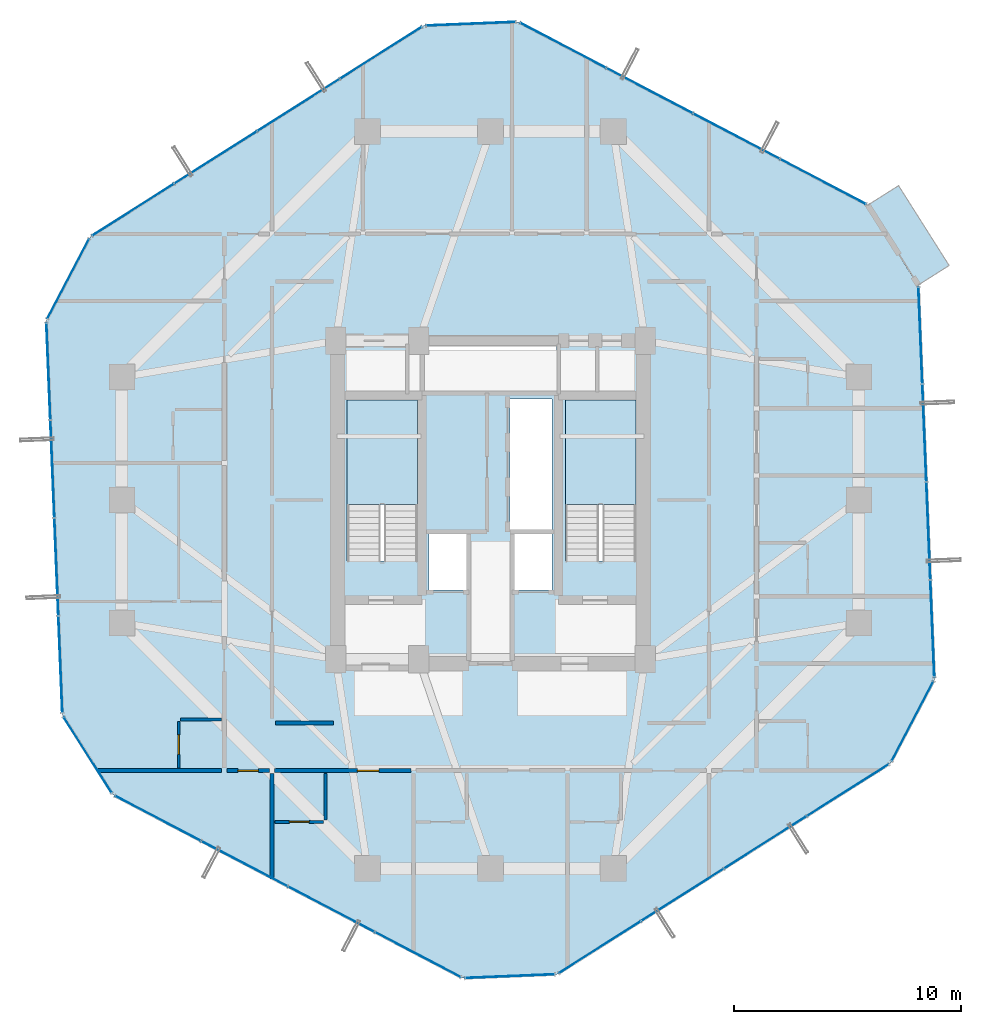
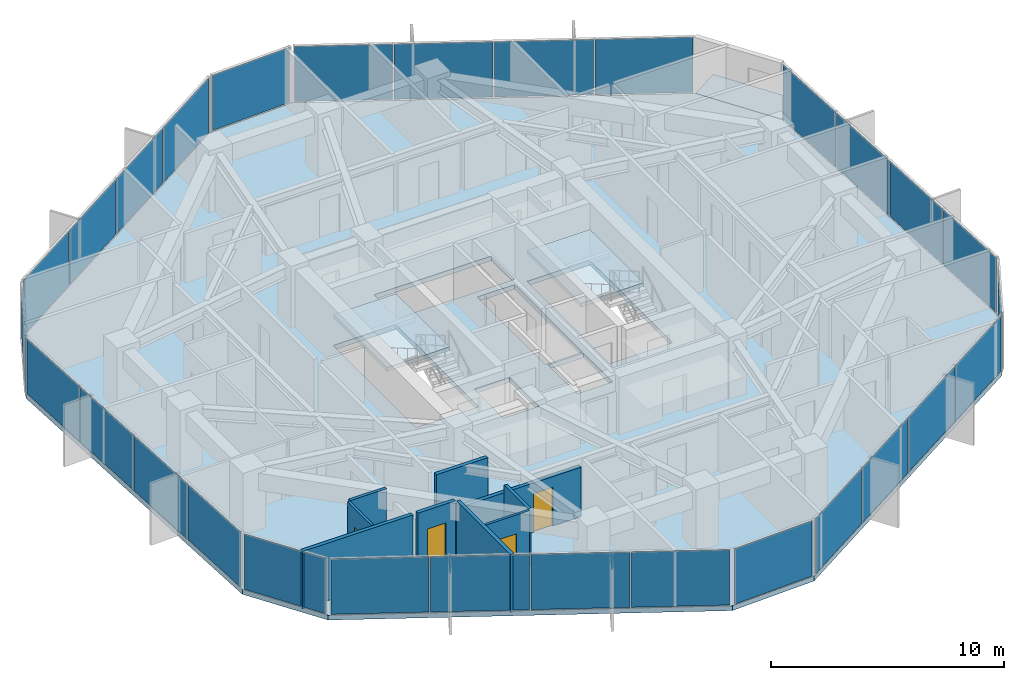
# One storey, part 26 of 32: 29 plates, 9 walls, 4 doors, 4 slabs, 4 openings, 13 elements without a shape of their own.
"""IFC4 building model written with IfcOpenShell, lengths in metres."""

from ifc_helpers import new_model, si_unit, direction, frame, frame_2d, origin, origin_2d, place, context, subcontext, project, spatial, polyline, rectangle, outline, extrude, source, transform, mapped, material, layer, layer_set, type_object, element, fill, aggregate, save


model = new_model("IFC4")

# Units and contexts
model_context = context("Model", 3, precision=1e-05, world=origin(), true_north=direction((0.0, 1.0)))
body_context = subcontext(model_context, "Body", "Model", "MODEL_VIEW")
ifc_project = project(units=[si_unit("LENGTHUNIT", "METRE"), si_unit("AREAUNIT", "SQUARE_METRE"), si_unit("VOLUMEUNIT", "CUBIC_METRE"), si_unit("PLANEANGLEUNIT", "RADIAN"), si_unit("MASSUNIT", "GRAM", prefix="KILO")], contexts=[model_context])

# Site, building, storey
site_placement = place(None, origin())
site = spatial("IfcSite", under=ifc_project, at=site_placement, CompositionType="ELEMENT")
building_placement = place(site_placement, origin())
building = spatial("IfcBuilding", under=site, at=building_placement, Name="Veraguas Prism Commons", CompositionType="ELEMENT")
storey_placement = place(building_placement, frame((0.0, 0.0, 136.0)))
storey = spatial("IfcBuildingStorey", under=building, at=storey_placement, Name="L38", CompositionType="ELEMENT", Elevation=136.0)

# Stair, slab
ifc_material_1 = material(Name="Precast concrete C45/55", Category="concrete")
stair_type = type_object("IfcStairType", Name="Dogleg Core Stair 1480W 20R 05", PredefinedType="HALF_TURN_STAIR", material=ifc_material_1)
stair_1_placement = place(storey_placement, origin())
stair_1 = element("IfcStair", 1, at=stair_1_placement, inside=storey, type_object=stair_type, Name="Protected Exit Stair ST-01 L38", PredefinedType="HALF_TURN_STAIR")
ifc_layer_1 = layer(ifc_material_1, 0.199951171875, Name="Precast Stair and Ramp Landing Slab 200", Category="concrete")
ifc_layer_set_1 = layer_set([ifc_layer_1], Name="Precast concrete C45/55")
slab_type_1 = type_object("IfcSlabType", Name="Precast Stair and Ramp Landing Slab 200", PredefinedType="LANDING", material=ifc_layer_set_1)
slab_1_placement = place(storey_placement, frame((0.0, 0.0, 1.425048828125)))
slab_1 = element("IfcSlab", 2, at=slab_1_placement, type_object=slab_type_1, Name="ST-05 Landing 1", PredefinedType="LANDING", context=body_context, shape_type="SweptSolid", body=[
    extrude(outline(polyline([(20.800048828125, 23.800048828125), (20.800048828125, 28.39990234375), (17.68994140625, 28.39990234375), (17.68994140625, 23.800048828125), (20.800048828125, 23.800048828125)])), origin(), (0.0, 0.0, 1.0), 0.199951171875),
])
aggregate(stair_1, [slab_1])

stair_2_placement = place(storey_placement, origin())
stair_2 = element("IfcStair", 3, at=stair_2_placement, inside=storey, type_object=stair_type, Name="Protected Exit Stair ST-02 L38", PredefinedType="HALF_TURN_STAIR")
slab_2_placement = place(storey_placement, frame((0.0, 0.0, 1.425048828125)))
slab_2 = element("IfcSlab", 4, at=slab_2_placement, type_object=slab_type_1, Name="ST-05 Landing 1", PredefinedType="LANDING", context=body_context, shape_type="SweptSolid", body=[
    extrude(outline(polyline([(30.39990234375, 23.800048828125), (30.39990234375, 28.39990234375), (27.2900390625, 28.39990234375), (27.2900390625, 23.800048828125), (30.39990234375, 23.800048828125)])), origin(), (0.0, 0.0, 1.0), 0.199951171875),
])
aggregate(stair_2, [slab_2])

# Slabs
ifc_material_2 = material(Name="Concrete C45/55", Category="concrete")
ifc_layer_2 = layer(ifc_material_2, 0.219970703125, Name="Recessed Loggia and Terrace Slab RC 220", Category="concrete")
ifc_layer_set_2 = layer_set([ifc_layer_2], Name="Concrete C45/55")
slab_type_2 = type_object("IfcSlabType", Name="Recessed Loggia and Terrace Slab RC 220", PredefinedType="FLOOR", material=ifc_layer_set_2)
slab_3_placement = place(storey_placement, frame((0.0, 0.0, -0.219970703125)))
element("IfcSlab", 5, at=slab_3_placement, inside=storey, type_object=slab_type_2, Name="Recessed Corner Loggia L38-C1", PredefinedType="FLOOR", context=body_context, shape_type="SweptSolid", body=[
    extrude(outline(polyline([(42.79541015625, 33.4423828125), (44.1640625, 34.30908203125), (41.9423828125, 37.818115234375), (40.573486328125, 36.951416015625), (42.79541015625, 33.4423828125)])), origin(), (0.0, 0.0, 1.0), 0.219970703125),
])
ifc_layer_3 = layer(ifc_material_2, 0.25, Name="Tower Lower Residential Floor Slab RC 250", Category="concrete")
ifc_layer_set_3 = layer_set([ifc_layer_3], Name="Concrete C45/55")
slab_type_3 = type_object("IfcSlabType", Name="Tower Lower Residential Floor Slab RC 250", PredefinedType="FLOOR", material=ifc_layer_set_3)
slab_4_placement = place(storey_placement, frame((0.0, 0.0, -0.25)))
element("IfcSlab", 6, at=slab_4_placement, inside=storey, type_object=slab_type_3, Name="Tower Floor Slab L38", PredefinedType="FLOOR", context=body_context, shape_type="SweptSolid", body=[
    extrude(outline(polyline([(42.812255859375, 33.453125), (40.590576171875, 36.962158203125), (25.219482421875, 45.018310546875), (21.069580078125, 44.848876953125), (6.4072265625, 35.565185546875), (4.479248046875, 31.88671875), (5.187744140625, 14.546875), (7.409423828125, 11.037841796875), (22.780517578125, 2.981689453125), (26.930419921875, 3.151123046875), (41.5927734375, 12.434814453125), (43.520751953125, 16.11328125), (42.812255859375, 33.453125)]), holes=[polyline([(20.800048828125, 21.31005859375), (20.800048828125, 28.39990234375), (17.68994140625, 28.39990234375), (17.68994140625, 21.31005859375), (20.800048828125, 21.31005859375)]), polyline([(30.39990234375, 21.31005859375), (30.39990234375, 28.39990234375), (27.2900390625, 28.39990234375), (27.2900390625, 21.31005859375), (30.39990234375, 21.31005859375)]), polyline([(24.85009765625, 22.64990234375), (26.699951171875, 22.64990234375), (26.699951171875, 28.449951171875), (24.85009765625, 28.449951171875), (24.85009765625, 22.64990234375)]), polyline([(21.10009765625, 28.800048828125), (26.89990234375, 28.800048828125), (26.89990234375, 30.800048828125), (21.10009765625, 30.800048828125), (21.10009765625, 28.800048828125)]), polyline([(21.300048828125, 20.050048828125), (23.050048828125, 20.050048828125), (23.050048828125, 22.550048828125), (21.300048828125, 22.550048828125), (21.300048828125, 20.050048828125)]), polyline([(24.949951171875, 20.050048828125), (26.699951171875, 20.050048828125), (26.699951171875, 22.550048828125), (24.949951171875, 22.550048828125), (24.949951171875, 20.050048828125)])]), origin(), (0.0, 0.0, 1.0), 0.25),
])

# Curtain wall, plates
ifc_material_3 = material(Name="Anodised aluminium EN AW-6063 T6", Category="aluminium")
ifc_layer_4 = layer(ifc_material_3, 0.169921875, Name="Unitised Flush Curtain Wall Zone 2", Category="aluminium")
ifc_layer_set_4 = layer_set([ifc_layer_4], Name="Anodised aluminium EN AW-6063 T6")
curtain_wall_type = type_object("IfcCurtainWallType", Name="Unitised Flush Curtain Wall Zone 2", PredefinedType="NOTDEFINED", material=ifc_layer_set_4)
curtain_wall_1_placement = place(storey_placement, origin())
curtain_wall_1 = element("IfcCurtainWall", 7, at=curtain_wall_1_placement, inside=storey, type_object=curtain_wall_type, Name="Tower Facade Curtain Wall L38-F1", PredefinedType="NOTDEFINED")
ifc_material_4 = material(Name="Laminated low-e glass", Category="glass")
ifc_layer_5 = layer(ifc_material_4, 0.028076171875, Name="Unitised Double Low-E Glazed Panel 28", Category="glass")
ifc_layer_set_5 = layer_set([ifc_layer_5], Name="Laminated low-e glass")
plate_type = type_object("IfcPlateType", Name="Unitised Double Low-E Glazed Panel 28", PredefinedType="CURTAIN_PANEL", material=ifc_layer_set_5)
shared_shape_1 = source(origin(), body_context, "Body", "SweptSolid", [
    extrude(rectangle(XDim=4.218505859375, YDim=0.028076171875, at=origin_2d()), origin(), (0.0, 0.0, 1.0), 2.889892578125),
])
plate_1_placement = place(storey_placement, frame((38.615966796875, 37.9970703125, 0.05517578125), z_axis=(0.0, 0.0, 1.0), x_axis=(-0.885721982014, 0.464216081773, 0.0)))
plate_1 = element("IfcPlate", 8, at=plate_1_placement, type_object=plate_type, Name="CW-Z2 Panel 1.1", PredefinedType="CURTAIN_PANEL", context=body_context, shape_type="MappedRepresentation", body=[
    mapped(shared_shape_1, transform((0.0, 0.0, 0.0), scale=1.0)),
])
plate_2_placement = place(storey_placement, frame((27.19384765625, 43.9833984375, 0.05517578125), z_axis=(0.0, 0.0, 1.0), x_axis=(-0.885721982014, 0.464216081773, 0.0)))
plate_2 = element("IfcPlate", 9, at=plate_2_placement, type_object=plate_type, Name="CW-Z2 Panel 4.1", PredefinedType="CURTAIN_PANEL", context=body_context, shape_type="MappedRepresentation", body=[
    mapped(shared_shape_1, transform((0.0, 0.0, 0.0), scale=1.0)),
])

curtain_wall_2_placement = place(storey_placement, origin())
curtain_wall_2 = element("IfcCurtainWall", 10, at=curtain_wall_2_placement, inside=storey, type_object=curtain_wall_type, Name="Tower Facade Curtain Wall L38-F2", PredefinedType="NOTDEFINED")
plate_3_placement = place(storey_placement, frame((19.186279296875, 43.65625, 0.05517578125), z_axis=(0.0, 0.0, 1.0), x_axis=(-0.844887645301, -0.534943797813, 0.0)))
plate_3 = element("IfcPlate", 11, at=plate_3_placement, type_object=plate_type, Name="CW-Z2 Panel 1.1", PredefinedType="CURTAIN_PANEL", context=body_context, shape_type="MappedRepresentation", body=[
    mapped(shared_shape_1, transform((0.0, 0.0, 0.0), scale=1.0)),
])
plate_4_placement = place(storey_placement, frame((8.290771484375, 36.7578125, 0.05517578125), z_axis=(0.0, 0.0, 1.0), x_axis=(-0.844887645301, -0.534943797813, 0.0)))
plate_4 = element("IfcPlate", 12, at=plate_4_placement, type_object=plate_type, Name="CW-Z2 Panel 4.1", PredefinedType="CURTAIN_PANEL", context=body_context, shape_type="MappedRepresentation", body=[
    mapped(shared_shape_1, transform((0.0, 0.0, 0.0), scale=1.0)),
])

curtain_wall_3_placement = place(storey_placement, origin())
curtain_wall_3 = element("IfcCurtainWall", 13, at=curtain_wall_3_placement, inside=storey, type_object=curtain_wall_type, Name="Tower Facade Curtain Wall L38-F3", PredefinedType="NOTDEFINED")
plate_5_placement = place(storey_placement, frame((4.570068359375, 29.6591796875, 0.05517578125), z_axis=(0.0, 0.0, 1.0), x_axis=(0.040836327473, -0.999165849276, 0.0)))
plate_5 = element("IfcPlate", 14, at=plate_5_placement, type_object=plate_type, Name="CW-Z2 Panel 1.1", PredefinedType="CURTAIN_PANEL", context=body_context, shape_type="MappedRepresentation", body=[
    mapped(shared_shape_1, transform((0.0, 0.0, 0.0), scale=1.0)),
])
plate_6_placement = place(storey_placement, frame((5.096923828125, 16.774169921875, 0.05517578125), z_axis=(0.0, 0.0, 1.0), x_axis=(0.040836327473, -0.999165849276, 0.0)))
plate_6 = element("IfcPlate", 15, at=plate_6_placement, type_object=plate_type, Name="CW-Z2 Panel 4.1", PredefinedType="CURTAIN_PANEL", context=body_context, shape_type="MappedRepresentation", body=[
    mapped(shared_shape_1, transform((0.0, 0.0, 0.0), scale=1.0)),
])

curtain_wall_4_placement = place(storey_placement, origin())
curtain_wall_4 = element("IfcCurtainWall", 16, at=curtain_wall_4_placement, inside=storey, type_object=curtain_wall_type, Name="Tower Facade Curtain Wall L38-F4", PredefinedType="NOTDEFINED")
plate_7_placement = place(storey_placement, frame((9.384033203125, 10.0029296875, 0.05517578125), z_axis=(0.0, 0.0, 1.0), x_axis=(0.885721982014, -0.464216081773, 0.0)))
plate_7 = element("IfcPlate", 17, at=plate_7_placement, type_object=plate_type, Name="CW-Z2 Panel 1.1", PredefinedType="CURTAIN_PANEL", context=body_context, shape_type="MappedRepresentation", body=[
    mapped(shared_shape_1, transform((0.0, 0.0, 0.0), scale=1.0)),
])
plate_8_placement = place(storey_placement, frame((20.80615234375, 4.0166015625, 0.05517578125), z_axis=(0.0, 0.0, 1.0), x_axis=(0.885721982014, -0.464216081773, 0.0)))
plate_8 = element("IfcPlate", 18, at=plate_8_placement, type_object=plate_type, Name="CW-Z2 Panel 4.1", PredefinedType="CURTAIN_PANEL", context=body_context, shape_type="MappedRepresentation", body=[
    mapped(shared_shape_1, transform((0.0, 0.0, 0.0), scale=1.0)),
])

curtain_wall_5_placement = place(storey_placement, origin())
curtain_wall_5 = element("IfcCurtainWall", 19, at=curtain_wall_5_placement, inside=storey, type_object=curtain_wall_type, Name="Tower Facade Curtain Wall L38-F5", PredefinedType="NOTDEFINED")
plate_9_placement = place(storey_placement, frame((28.813720703125, 4.34375, 0.05517578125), z_axis=(0.0, 0.0, 1.0), x_axis=(0.844887645301, 0.534943797813, 0.0)))
plate_9 = element("IfcPlate", 20, at=plate_9_placement, type_object=plate_type, Name="CW-Z2 Panel 1.1", PredefinedType="CURTAIN_PANEL", context=body_context, shape_type="MappedRepresentation", body=[
    mapped(shared_shape_1, transform((0.0, 0.0, 0.0), scale=1.0)),
])
plate_10_placement = place(storey_placement, frame((39.709228515625, 11.2421875, 0.05517578125), z_axis=(0.0, 0.0, 1.0), x_axis=(0.844887645301, 0.534943797813, 0.0)))
plate_10 = element("IfcPlate", 21, at=plate_10_placement, type_object=plate_type, Name="CW-Z2 Panel 4.1", PredefinedType="CURTAIN_PANEL", context=body_context, shape_type="MappedRepresentation", body=[
    mapped(shared_shape_1, transform((0.0, 0.0, 0.0), scale=1.0)),
])

curtain_wall_6_placement = place(storey_placement, origin())
curtain_wall_6 = element("IfcCurtainWall", 22, at=curtain_wall_6_placement, inside=storey, type_object=curtain_wall_type, Name="Tower Facade Curtain Wall L38-F6", PredefinedType="NOTDEFINED")
plate_11_placement = place(storey_placement, frame((43.429931640625, 18.3408203125, 0.05517578125), z_axis=(0.0, 0.0, 1.0), x_axis=(-0.040836327473, 0.999165849276, 0.0)))
plate_11 = element("IfcPlate", 23, at=plate_11_placement, type_object=plate_type, Name="CW-Z2 Panel 1.1", PredefinedType="CURTAIN_PANEL", context=body_context, shape_type="MappedRepresentation", body=[
    mapped(shared_shape_1, transform((0.0, 0.0, 0.0), scale=1.0)),
])
plate_12_placement = place(storey_placement, frame((42.903076171875, 31.225830078125, 0.05517578125), z_axis=(0.0, 0.0, 1.0), x_axis=(-0.040836327473, 0.999165849276, 0.0)))
plate_12 = element("IfcPlate", 24, at=plate_12_placement, type_object=plate_type, Name="CW-Z2 Panel 4.1", PredefinedType="CURTAIN_PANEL", context=body_context, shape_type="MappedRepresentation", body=[
    mapped(shared_shape_1, transform((0.0, 0.0, 0.0), scale=1.0)),
])

# Plate
shared_shape_2 = source(origin(), body_context, "Body", "SweptSolid", [
    extrude(rectangle(XDim=4.24853515625, YDim=0.028076171875, at=origin_2d()), origin(), (0.0, 0.0, 1.0), 2.889892578125),
])
plate_13_placement = place(storey_placement, frame((34.81298828125, 39.990234375, 0.05517578125), z_axis=(0.0, 0.0, 1.0), x_axis=(-0.885721982014, 0.464216081773, 0.0)))
plate_13 = element("IfcPlate", 25, at=plate_13_placement, type_object=plate_type, Name="CW-Z2 Panel 2.1", PredefinedType="CURTAIN_PANEL", context=body_context, shape_type="MappedRepresentation", body=[
    mapped(shared_shape_2, transform((0.0, 0.0, 0.0), scale=1.0)),
])

plate_14_placement = place(storey_placement, frame((30.996826171875, 41.990234375, 0.05517578125), z_axis=(0.0, 0.0, 1.0), x_axis=(-0.885721982014, 0.464216081773, 0.0)))
plate_14 = element("IfcPlate", 26, at=plate_14_placement, type_object=plate_type, Name="CW-Z2 Panel 3.1", PredefinedType="CURTAIN_PANEL", context=body_context, shape_type="MappedRepresentation", body=[
    mapped(shared_shape_2, transform((0.0, 0.0, 0.0), scale=1.0)),
])

aggregate(curtain_wall_1, [plate_1, plate_13, plate_14, plate_2])

plate_15_placement = place(storey_placement, frame((15.55859375, 41.359375, 0.05517578125), z_axis=(0.0, 0.0, 1.0), x_axis=(-0.844887645301, -0.534943797813, 0.0)))
plate_15 = element("IfcPlate", 27, at=plate_15_placement, type_object=plate_type, Name="CW-Z2 Panel 2.1", PredefinedType="CURTAIN_PANEL", context=body_context, shape_type="MappedRepresentation", body=[
    mapped(shared_shape_2, transform((0.0, 0.0, 0.0), scale=1.0)),
])

plate_16_placement = place(storey_placement, frame((11.918212890625, 39.0546875, 0.05517578125), z_axis=(0.0, 0.0, 1.0), x_axis=(-0.844887645301, -0.534943797813, 0.0)))
plate_16 = element("IfcPlate", 28, at=plate_16_placement, type_object=plate_type, Name="CW-Z2 Panel 3.1", PredefinedType="CURTAIN_PANEL", context=body_context, shape_type="MappedRepresentation", body=[
    mapped(shared_shape_2, transform((0.0, 0.0, 0.0), scale=1.0)),
])

aggregate(curtain_wall_2, [plate_3, plate_15, plate_16, plate_4])

plate_17_placement = place(storey_placement, frame((4.74560546875, 25.369140625, 0.05517578125), z_axis=(0.0, 0.0, 1.0), x_axis=(0.040836327473, -0.999165849276, 0.0)))
plate_17 = element("IfcPlate", 29, at=plate_17_placement, type_object=plate_type, Name="CW-Z2 Panel 2.1", PredefinedType="CURTAIN_PANEL", context=body_context, shape_type="MappedRepresentation", body=[
    mapped(shared_shape_2, transform((0.0, 0.0, 0.0), scale=1.0)),
])

plate_18_placement = place(storey_placement, frame((4.92138671875, 21.064208984375, 0.05517578125), z_axis=(0.0, 0.0, 1.0), x_axis=(0.040836327473, -0.999165849276, 0.0)))
plate_18 = element("IfcPlate", 30, at=plate_18_placement, type_object=plate_type, Name="CW-Z2 Panel 3.1", PredefinedType="CURTAIN_PANEL", context=body_context, shape_type="MappedRepresentation", body=[
    mapped(shared_shape_2, transform((0.0, 0.0, 0.0), scale=1.0)),
])

aggregate(curtain_wall_3, [plate_5, plate_17, plate_18, plate_6])

plate_19_placement = place(storey_placement, frame((13.18701171875, 8.009765625, 0.05517578125), z_axis=(0.0, 0.0, 1.0), x_axis=(0.885721982014, -0.464216081773, 0.0)))
plate_19 = element("IfcPlate", 31, at=plate_19_placement, type_object=plate_type, Name="CW-Z2 Panel 2.1", PredefinedType="CURTAIN_PANEL", context=body_context, shape_type="MappedRepresentation", body=[
    mapped(shared_shape_2, transform((0.0, 0.0, 0.0), scale=1.0)),
])

plate_20_placement = place(storey_placement, frame((17.003173828125, 6.009765625, 0.05517578125), z_axis=(0.0, 0.0, 1.0), x_axis=(0.885721982014, -0.464216081773, 0.0)))
plate_20 = element("IfcPlate", 32, at=plate_20_placement, type_object=plate_type, Name="CW-Z2 Panel 3.1", PredefinedType="CURTAIN_PANEL", context=body_context, shape_type="MappedRepresentation", body=[
    mapped(shared_shape_2, transform((0.0, 0.0, 0.0), scale=1.0)),
])

aggregate(curtain_wall_4, [plate_7, plate_19, plate_20, plate_8])

plate_21_placement = place(storey_placement, frame((32.44140625, 6.640625, 0.05517578125), z_axis=(0.0, 0.0, 1.0), x_axis=(0.844887645301, 0.534943797813, 0.0)))
plate_21 = element("IfcPlate", 33, at=plate_21_placement, type_object=plate_type, Name="CW-Z2 Panel 2.1", PredefinedType="CURTAIN_PANEL", context=body_context, shape_type="MappedRepresentation", body=[
    mapped(shared_shape_2, transform((0.0, 0.0, 0.0), scale=1.0)),
])

plate_22_placement = place(storey_placement, frame((36.081787109375, 8.9453125, 0.05517578125), z_axis=(0.0, 0.0, 1.0), x_axis=(0.844887645301, 0.534943797813, 0.0)))
plate_22 = element("IfcPlate", 34, at=plate_22_placement, type_object=plate_type, Name="CW-Z2 Panel 3.1", PredefinedType="CURTAIN_PANEL", context=body_context, shape_type="MappedRepresentation", body=[
    mapped(shared_shape_2, transform((0.0, 0.0, 0.0), scale=1.0)),
])

aggregate(curtain_wall_5, [plate_9, plate_21, plate_22, plate_10])

plate_23_placement = place(storey_placement, frame((43.25439453125, 22.630859375, 0.05517578125), z_axis=(0.0, 0.0, 1.0), x_axis=(-0.040836327473, 0.999165849276, 0.0)))
plate_23 = element("IfcPlate", 35, at=plate_23_placement, type_object=plate_type, Name="CW-Z2 Panel 2.1", PredefinedType="CURTAIN_PANEL", context=body_context, shape_type="MappedRepresentation", body=[
    mapped(shared_shape_2, transform((0.0, 0.0, 0.0), scale=1.0)),
])

plate_24_placement = place(storey_placement, frame((43.07861328125, 26.935791015625, 0.05517578125), z_axis=(0.0, 0.0, 1.0), x_axis=(-0.040836327473, 0.999165849276, 0.0)))
plate_24 = element("IfcPlate", 36, at=plate_24_placement, type_object=plate_type, Name="CW-Z2 Panel 3.1", PredefinedType="CURTAIN_PANEL", context=body_context, shape_type="MappedRepresentation", body=[
    mapped(shared_shape_2, transform((0.0, 0.0, 0.0), scale=1.0)),
])

aggregate(curtain_wall_6, [plate_11, plate_23, plate_24, plate_12])

# Curtain wall, plate
curtain_wall_7_placement = place(storey_placement, origin())
curtain_wall_7 = element("IfcCurtainWall", 37, at=curtain_wall_7_placement, inside=storey, type_object=curtain_wall_type, Name="Chamfer Curtain Wall L38-C3", PredefinedType="NOTDEFINED")
shared_shape_3 = source(origin(), body_context, "Body", "SweptSolid", [
    extrude(rectangle(XDim=3.9130859375, YDim=0.028076171875, at=origin_2d()), origin(), (0.0, 0.0, 1.0), 2.889892578125),
])
plate_25_placement = place(storey_placement, frame((5.443115234375, 33.725830078125, 0.05517578125), z_axis=(0.0, 0.0, 1.0), x_axis=(-0.464200622938, -0.885730083978, 0.0)))
plate_25 = element("IfcPlate", 38, at=plate_25_placement, type_object=plate_type, Name="CW-Z2 Panel 1.1", PredefinedType="CURTAIN_PANEL", context=body_context, shape_type="MappedRepresentation", body=[
    mapped(shared_shape_3, transform((0.0, 0.0, 0.0), scale=1.0)),
])
aggregate(curtain_wall_7, [plate_25])

curtain_wall_8_placement = place(storey_placement, origin())
curtain_wall_8 = element("IfcCurtainWall", 39, at=curtain_wall_8_placement, inside=storey, type_object=curtain_wall_type, Name="Chamfer Curtain Wall L38-C4", PredefinedType="NOTDEFINED")
plate_26_placement = place(storey_placement, frame((6.298583984375, 12.792236328125, 0.05517578125), z_axis=(0.0, 0.0, 1.0), x_axis=(0.534948221627, -0.84488484433, 0.0)))
plate_26 = element("IfcPlate", 40, at=plate_26_placement, type_object=plate_type, Name="CW-Z2 Panel 1.1", PredefinedType="CURTAIN_PANEL", context=body_context, shape_type="MappedRepresentation", body=[
    mapped(shared_shape_3, transform((0.0, 0.0, 0.0), scale=1.0)),
])
aggregate(curtain_wall_8, [plate_26])

curtain_wall_9_placement = place(storey_placement, origin())
curtain_wall_9 = element("IfcCurtainWall", 41, at=curtain_wall_9_placement, inside=storey, type_object=curtain_wall_type, Name="Chamfer Curtain Wall L38-C6", PredefinedType="NOTDEFINED")
plate_27_placement = place(storey_placement, frame((42.556884765625, 14.274169921875, 0.05517578125), z_axis=(0.0, 0.0, 1.0), x_axis=(0.464200622938, 0.885730083978, 0.0)))
plate_27 = element("IfcPlate", 42, at=plate_27_placement, type_object=plate_type, Name="CW-Z2 Panel 1.1", PredefinedType="CURTAIN_PANEL", context=body_context, shape_type="MappedRepresentation", body=[
    mapped(shared_shape_3, transform((0.0, 0.0, 0.0), scale=1.0)),
])
aggregate(curtain_wall_9, [plate_27])

curtain_wall_10_placement = place(storey_placement, origin())
curtain_wall_10 = element("IfcCurtainWall", 43, at=curtain_wall_10_placement, inside=storey, type_object=curtain_wall_type, Name="Chamfer Curtain Wall L38-C2", PredefinedType="NOTDEFINED")
shared_shape_4 = source(origin(), body_context, "Body", "SweptSolid", [
    extrude(rectangle(XDim=3.913330078125, YDim=0.028076171875, at=origin_2d()), origin(), (0.0, 0.0, 1.0), 2.889892578125),
])
plate_28_placement = place(storey_placement, frame((23.14453125, 44.93359375, 0.05517578125), z_axis=(0.0, 0.0, 1.0), x_axis=(-0.999166918026, -0.040810169358, 0.0)))
plate_28 = element("IfcPlate", 44, at=plate_28_placement, type_object=plate_type, Name="CW-Z2 Panel 1.1", PredefinedType="CURTAIN_PANEL", context=body_context, shape_type="MappedRepresentation", body=[
    mapped(shared_shape_4, transform((0.0, 0.0, 0.0), scale=1.0)),
])
aggregate(curtain_wall_10, [plate_28])

curtain_wall_11_placement = place(storey_placement, origin())
curtain_wall_11 = element("IfcCurtainWall", 45, at=curtain_wall_11_placement, inside=storey, type_object=curtain_wall_type, Name="Chamfer Curtain Wall L38-C5", PredefinedType="NOTDEFINED")
plate_29_placement = place(storey_placement, frame((24.85546875, 3.06640625, 0.05517578125), z_axis=(0.0, 0.0, 1.0), x_axis=(0.999166918026, 0.040810169358, 0.0)))
plate_29 = element("IfcPlate", 46, at=plate_29_placement, type_object=plate_type, Name="CW-Z2 Panel 1.1", PredefinedType="CURTAIN_PANEL", context=body_context, shape_type="MappedRepresentation", body=[
    mapped(shared_shape_4, transform((0.0, 0.0, 0.0), scale=1.0)),
])
aggregate(curtain_wall_11, [plate_29])

# Walls
ifc_material_5 = material(Name="Autoclaved aerated masonry block 10 MPa", Category="masonry")
ifc_layer_6 = layer(ifc_material_5, 0.179931640625, Name="Corridor and Inter-Tenancy Partition 180", Category="masonry")
ifc_layer_set_6 = layer_set([ifc_layer_6], Name="Autoclaved aerated masonry block 10 MPa")
wall_type_1 = type_object("IfcWallType", Name="Corridor and Inter-Tenancy Partition 180", PredefinedType="PARTITIONING", material=ifc_layer_set_6)
wall_1_placement = place(storey_placement, frame((14.550048828125, 14.199951171875, 0.0), z_axis=(0.0, 0.0, 1.0), x_axis=(1.0, 0.0, 0.0)))
element("IfcWall", 47, at=wall_1_placement, inside=storey, type_object=wall_type_1, Name="WL-L38-IRWS", PredefinedType="PARTITIONING", context=body_context, shape_type="SweptSolid", body=[
    extrude(rectangle(XDim=2.550048828125, YDim=0.179931640625, at=frame_2d((1.27490234375, 0.0))), origin(), (0.0, 0.0, 1.0), 3.0),
])
wall_2_placement = place(storey_placement, frame((14.39990234375, 11.97998046875, 0.0), z_axis=(0.0, 0.0, 1.0), x_axis=(0.0, -1.0, 0.0)))
element("IfcWall", 48, at=wall_2_placement, inside=storey, type_object=wall_type_1, Name="WL-L38-PT001", PredefinedType="PARTITIONING", context=body_context, shape_type="SweptSolid", body=[
    extrude(rectangle(XDim=4.639892578125, YDim=0.179931640625, at=frame_2d((2.31982421875, 0.0))), origin(), (0.0, 0.0, 1.0), 3.0),
])

# Wall, opening, door
wall_3_placement = place(storey_placement, frame((14.510009765625, 12.10009765625, 0.0), z_axis=(0.0, 0.0, 1.0), x_axis=(1.0, 0.0, 0.0)))
wall_3 = element("IfcWall", 49, at=wall_3_placement, inside=storey, type_object=wall_type_1, Name="WL-L38-PT003", PredefinedType="PARTITIONING", context=body_context, shape_type="SweptSolid", body=[
    extrude(rectangle(XDim=5.99609375, YDim=0.179931640625, at=frame_2d((2.998046875, 0.0))), origin(), (0.0, 0.0, 1.0), 2.580078125),
])
opening_1_placement = place(wall_3_placement, frame((3.637939453125, 0.0, 0.0)))
opening_1 = element("IfcOpeningElement", 50, at=opening_1_placement, cuts=wall_3, Name="Opening DR-01", PredefinedType="OPENING", context=body_context, shape_type="SweptSolid", body=[
    extrude(rectangle(XDim=0.949951171875, YDim=2.02001953125, at=frame_2d((0.47509765625, 1.010009765625))), frame((0.0, 0.099853515625, 0.0), z_axis=(0.0, -1.0, 0.0), x_axis=(1.0, 0.0, 0.0)), (0.0, 0.0, 1.0), 0.199951171875),
])
door_type_1 = type_object("IfcDoorType", Name="Apartment Entrance Fire Door 950x2020", OperationType="NOTDEFINED", PredefinedType="DOOR", material=ifc_material_3)
shared_shape_5 = source(origin(), body_context, "Body", "SweptSolid", [
    extrude(rectangle(XDim=0.949951171875, YDim=2.02001953125, at=frame_2d((0.47509765625, 1.010009765625))), frame((0.0, 0.02490234375, 0.0), z_axis=(0.0, -1.0, 0.0), x_axis=(1.0, 0.0, 0.0)), (0.0, 0.0, 1.0), 0.050048828125),
])
door_1_placement = place(opening_1_placement, origin())
door_1 = element("IfcDoor", 51, at=door_1_placement, inside=storey, type_object=door_type_1, Name="Studio 38A Entrance Door", OperationType="SINGLE_SWING_RIGHT", OverallHeight=2.02001953125, OverallWidth=0.949951171875, PredefinedType="DOOR", context=body_context, shape_type="MappedRepresentation", body=[
    mapped(shared_shape_5, transform((0.0, 0.0, 0.0), scale=1.0)),
])
fill(opening_1, door_1)

# Wall
wall_4_placement = place(storey_placement, frame((12.179931640625, 12.10009765625, 0.0), z_axis=(0.0, 0.0, 1.0), x_axis=(-1.0, 0.0, 0.0)))
element("IfcWall", 52, at=wall_4_placement, inside=storey, type_object=wall_type_1, Name="WL-L38-PT023", PredefinedType="PARTITIONING", context=body_context, shape_type="SweptSolid", body=[
    extrude(rectangle(XDim=5.478515625, YDim=0.179931640625, at=frame_2d((2.7392578125, 0.0))), origin(), (0.0, 0.0, 1.0), 3.0),
])

# Wall, opening, door
wall_5_placement = place(storey_placement, frame((12.419921875, 12.10009765625, 0.0), z_axis=(0.0, 0.0, 1.0), x_axis=(1.0, 0.0, 0.0)))
wall_5 = element("IfcWall", 53, at=wall_5_placement, inside=storey, type_object=wall_type_1, Name="WL-L38-PT056", PredefinedType="PARTITIONING", context=body_context, shape_type="SweptSolid", body=[
    extrude(rectangle(XDim=1.860107421875, YDim=0.179931640625, at=frame_2d((0.93017578125, 0.0))), origin(), (0.0, 0.0, 1.0), 3.0),
])
opening_2_placement = place(wall_5_placement, frame((0.47998046875, 0.0, 0.0)))
opening_2 = element("IfcOpeningElement", 54, at=opening_2_placement, cuts=wall_5, Name="Opening DR-14", PredefinedType="OPENING", context=body_context, shape_type="SweptSolid", body=[
    extrude(rectangle(XDim=0.89990234375, YDim=2.010009765625, at=frame_2d((0.449951171875, 1.0048828125))), frame((0.0, 0.099853515625, 0.0), z_axis=(0.0, -1.0, 0.0), x_axis=(1.0, 0.0, 0.0)), (0.0, 0.0, 1.0), 0.199951171875),
])
ifc_material_6 = material(Name="Steel fire-rated door assembly", Category="steel")
door_type_2 = type_object("IfcDoorType", Name="Core Service Room Fire Door 900x2010", OperationType="NOTDEFINED", PredefinedType="DOOR", material=ifc_material_6)
shared_shape_6 = source(origin(), body_context, "Body", "SweptSolid", [
    extrude(rectangle(XDim=0.89990234375, YDim=2.010009765625, at=frame_2d((0.449951171875, 1.0048828125))), frame((0.0, 0.02490234375, 0.0), z_axis=(0.0, -1.0, 0.0), x_axis=(1.0, 0.0, 0.0)), (0.0, 0.0, 1.0), 0.050048828125),
])
door_2_placement = place(opening_2_placement, origin())
door_2 = element("IfcDoor", 55, at=door_2_placement, inside=storey, type_object=door_type_2, Name="Corner Study SW Door", OperationType="SINGLE_SWING_RIGHT", OverallHeight=2.010009765625, OverallWidth=0.89990234375, PredefinedType="DOOR", context=body_context, shape_type="MappedRepresentation", body=[
    mapped(shared_shape_6, transform((0.0, 0.0, 0.0), scale=1.0)),
])
fill(opening_2, door_2)

ifc_material_7 = material(Name="Lightweight acoustic gypsum board")
ifc_layer_7 = layer(ifc_material_7, 0.125, Name="Internal Apartment Room Partition 125")
ifc_layer_set_7 = layer_set([ifc_layer_7], Name="Lightweight acoustic gypsum board")
wall_type_2 = type_object("IfcWallType", Name="Internal Apartment Room Partition 125", PredefinedType="PARTITIONING", material=ifc_layer_set_7)
wall_6_placement = place(storey_placement, frame((14.52001953125, 9.85009765625, 0.0), z_axis=(0.0, 0.0, 1.0), x_axis=(1.0, 0.0, 0.0)))
wall_6 = element("IfcWall", 56, at=wall_6_placement, inside=storey, type_object=wall_type_2, Name="WL-L38-PT005", PredefinedType="PARTITIONING", context=body_context, shape_type="SweptSolid", body=[
    extrude(rectangle(XDim=2.14990234375, YDim=0.125, at=frame_2d((1.074951171875, 0.0))), origin(), (0.0, 0.0, 1.0), 3.0),
])
opening_3_placement = place(wall_6_placement, frame((0.64501953125, 0.0, 0.0)))
opening_3 = element("IfcOpeningElement", 57, at=opening_3_placement, cuts=wall_6, Name="Opening DR-03", PredefinedType="OPENING", context=body_context, shape_type="SweptSolid", body=[
    extrude(rectangle(XDim=0.860107421875, YDim=2.010009765625, at=frame_2d((0.43017578125, 1.0048828125))), frame((0.0, 0.072509765625, 0.0), z_axis=(0.0, -1.0, 0.0), x_axis=(1.0, 0.0, 0.0)), (0.0, 0.0, 1.0), 0.14501953125),
])
ifc_material_8 = material(Name="Timber moisture-resistant leaf", Category="wood")
door_type_3 = type_object("IfcDoorType", Name="Internal Bathroom Door 860x2010", OperationType="NOTDEFINED", PredefinedType="DOOR", material=ifc_material_8)
shared_shape_7 = source(origin(), body_context, "Body", "SweptSolid", [
    extrude(rectangle(XDim=0.860107421875, YDim=2.010009765625, at=frame_2d((0.43017578125, 1.0048828125))), frame((0.0, 0.02490234375, 0.0), z_axis=(0.0, -1.0, 0.0), x_axis=(1.0, 0.0, 0.0)), (0.0, 0.0, 1.0), 0.050048828125),
])
door_3_placement = place(opening_3_placement, origin())
door_3 = element("IfcDoor", 58, at=door_3_placement, inside=storey, type_object=door_type_3, Name="Studio 38A Bathroom Door", OperationType="SINGLE_SWING_LEFT", OverallHeight=2.010009765625, OverallWidth=0.860107421875, PredefinedType="DOOR", context=body_context, shape_type="MappedRepresentation", body=[
    mapped(shared_shape_7, transform((0.0, 0.0, 0.0), scale=1.0)),
])
fill(opening_3, door_3)

wall_7_placement = place(storey_placement, frame((10.300048828125, 12.219970703125, 0.0), z_axis=(0.0, 0.0, 1.0), x_axis=(0.0, 1.0, 0.0)))
wall_7 = element("IfcWall", 59, at=wall_7_placement, inside=storey, type_object=wall_type_2, Name="WL-L38-PT027", PredefinedType="PARTITIONING", context=body_context, shape_type="SweptSolid", body=[
    extrude(rectangle(XDim=2.050048828125, YDim=0.125, at=frame_2d((1.02490234375, 0.0))), origin(), (0.0, 0.0, 1.0), 3.0),
])
opening_4_placement = place(wall_7_placement, frame((0.594970703125, 0.0, 0.0)))
opening_4 = element("IfcOpeningElement", 60, at=opening_4_placement, cuts=wall_7, Name="Opening DR-03", PredefinedType="OPENING", context=body_context, shape_type="SweptSolid", body=[
    extrude(rectangle(XDim=0.860107421875, YDim=2.010009765625, at=frame_2d((0.43017578125, 1.0048828125))), frame((0.0, 0.072509765625, 0.0), z_axis=(0.0, -1.0, 0.0), x_axis=(1.0, 0.0, 0.0)), (0.0, 0.0, 1.0), 0.14501953125),
])
door_4_placement = place(opening_4_placement, origin())
door_4 = element("IfcDoor", 61, at=door_4_placement, inside=storey, type_object=door_type_3, Name="Flat 38D Bathroom Door", OperationType="SINGLE_SWING_LEFT", OverallHeight=2.010009765625, OverallWidth=0.860107421875, PredefinedType="DOOR", context=body_context, shape_type="MappedRepresentation", body=[
    mapped(shared_shape_7, transform((0.0, 0.0, 0.0), scale=1.0)),
])
fill(opening_4, door_4)

# Walls
ifc_layer_8 = layer(ifc_material_7, 0.14990234375, Name="Wet Room and Clinic Acoustic Partition 150")
ifc_layer_set_8 = layer_set([ifc_layer_8], Name="Lightweight acoustic gypsum board")
wall_type_3 = type_object("IfcWallType", Name="Wet Room and Clinic Acoustic Partition 150", PredefinedType="PARTITIONING", material=ifc_layer_set_8)
wall_8_placement = place(storey_placement, frame((16.75, 11.97998046875, 0.0), z_axis=(0.0, 0.0, 1.0), x_axis=(0.0, -1.0, 0.0)))
element("IfcWall", 62, at=wall_8_placement, inside=storey, type_object=wall_type_3, Name="WL-L38-PT004", PredefinedType="PARTITIONING", context=body_context, shape_type="SweptSolid", body=[
    extrude(rectangle(XDim=2.050048828125, YDim=0.14990234375, at=frame_2d((1.02490234375, 0.0))), origin(), (0.0, 0.0, 1.0), 3.0),
])
wall_9_placement = place(storey_placement, frame((12.179931640625, 14.35009765625, 0.0), z_axis=(0.0, 0.0, 1.0), x_axis=(-1.0, 0.0, 0.0)))
element("IfcWall", 63, at=wall_9_placement, inside=storey, type_object=wall_type_3, Name="WL-L38-PT026", PredefinedType="PARTITIONING", context=body_context, shape_type="SweptSolid", body=[
    extrude(rectangle(XDim=1.800048828125, YDim=0.14990234375, at=frame_2d((0.89990234375, 0.0))), origin(), (0.0, 0.0, 1.0), 3.0),
])

save(model, "model.ifc")
